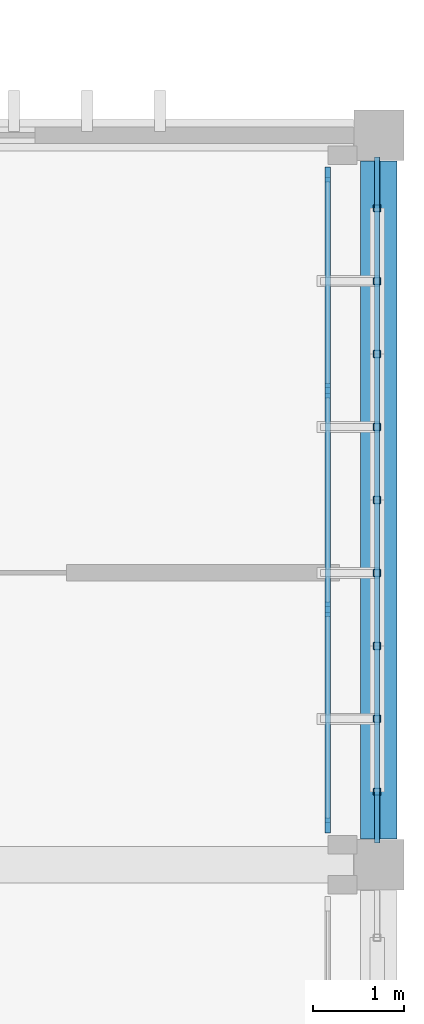
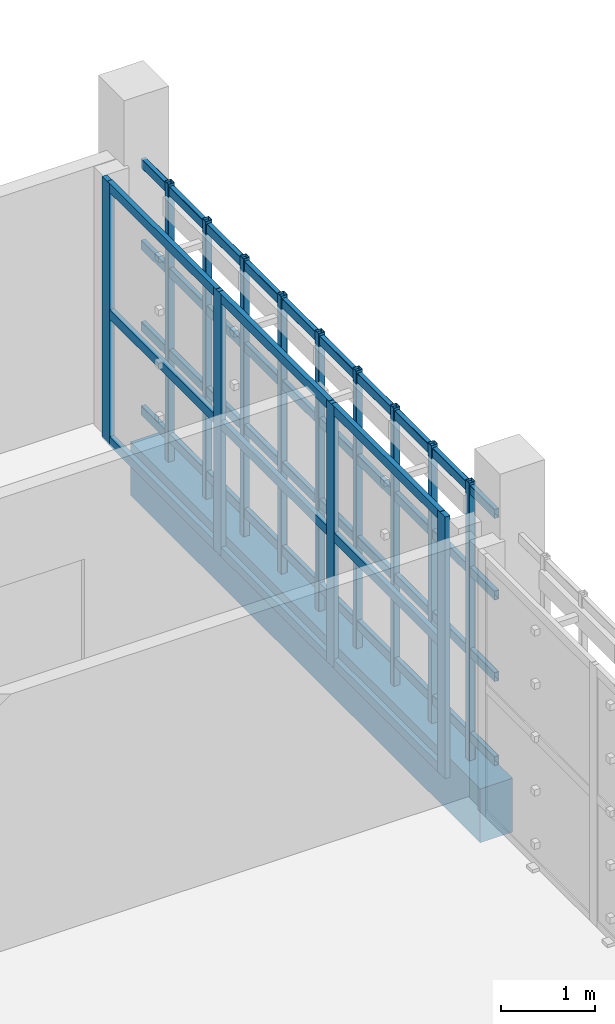
# One storey, part 34 of 63: 26 members, 1 beam, 1 element without a shape of its own.
"""IFC4 building model written with IfcOpenShell, lengths in metres."""

from ifc_helpers import new_model, si_unit, direction, frame, origin, origin_2d, place, context, subcontext, project, spatial, rectangle, hollow_rectangle, extrude, material, layer, layer_set, material_profile, profile_set, type_object, element, aggregate, save


model = new_model("IFC4")

# Units and contexts
model_context = context("Model", 3, precision=1e-05, world=origin(), true_north=direction((0.0, 1.0)))
body_context = subcontext(model_context, "Body", "Model", "MODEL_VIEW")
ifc_project = project(units=[si_unit("LENGTHUNIT", "METRE"), si_unit("AREAUNIT", "SQUARE_METRE"), si_unit("VOLUMEUNIT", "CUBIC_METRE"), si_unit("PLANEANGLEUNIT", "RADIAN"), si_unit("MASSUNIT", "GRAM", prefix="KILO")], contexts=[model_context])

# Site, building, storey
site_placement = place(None, origin())
site = spatial("IfcSite", under=ifc_project, at=site_placement, CompositionType="ELEMENT")
building_placement = place(site_placement, origin())
building = spatial("IfcBuilding", under=site, at=building_placement, Name="Jelvoka-Kovrelna Polytechnic", CompositionType="ELEMENT")
storey_placement = place(building_placement, frame((0.0, 0.0, 18.0)))
storey = spatial("IfcBuildingStorey", under=building, at=storey_placement, Name="L05", CompositionType="ELEMENT", Elevation=18.0)

# Beam
ifc_material_1 = material(Name="Concrete C40/50", Category="concrete")
ifc_material_profile_1 = material_profile(ifc_material_1, rectangle(XDim=0.39990234375, YDim=0.699951171875, at=origin_2d()), Name="RC 400x700")
ifc_profile_set_1 = profile_set([ifc_material_profile_1], Name="Concrete C40/50")
beam_type = type_object("IfcBeamType", Name="Beam_RC_400x700", PredefinedType="BEAM", material=ifc_profile_set_1)
beam_placement = place(storey_placement, frame((200.0, 40.280029296875, -0.60009765625), z_axis=(0.0, 1.0, 0.0), x_axis=(-1.0, 0.0, 0.0)))
element("IfcBeam", 1, at=beam_placement, inside=storey, type_object=beam_type, Name="L05 beam 1504", PredefinedType="BEAM", context=body_context, shape_type="SweptSolid", body=[
    extrude(rectangle(XDim=0.39990234375, YDim=0.699951171875, at=origin_2d()), origin(), (0.0, 0.0, 1.0), 7.43994140625),
])

# Members
ifc_material_2 = material(Name="Structural steel S355J2H", Category="steel")
ifc_material_profile_2 = material_profile(ifc_material_2, hollow_rectangle(XDim=0.06005859375, YDim=0.1201171875, WallThickness=0.0048828125, InnerFilletRadius=0.0048828125, OuterFilletRadius=0.007568359375, at=origin_2d()), Name="120x60x5.0 RHS")
ifc_profile_set_2 = profile_set([ifc_material_profile_2], Name="Structural steel S355J2H")
member_type_1 = type_object("IfcMemberType", Name="Member_Strut_RHS120", PredefinedType="STRUT", material=ifc_profile_set_2)
for number, where, z_axis, x_axis, name in (
    (2, (199.97998046875, 40.239990234375, 0.080078125), (0.0, 1.0, 0.0), (-1.0, 0.0, 0.0), "L05 terracotta screen horizontal strut 0521"),
    (3, (199.97998046875, 40.239990234375, 1.17138671875), (0.0, 1.0, 0.0), (-1.0, 0.0, 0.0), "L05 terracotta screen horizontal strut 0522"),
    (4, (199.97998046875, 40.239990234375, 2.230712890625), (0.0, 1.0, 0.0), (-1.0, 0.0, 0.0), "L05 terracotta screen horizontal strut 0523"),
    (5, (199.97998046875, 40.239990234375, 3.2900390625), (0.0, 1.0, 0.0), (-1.0, 0.0, 0.0), "L05 terracotta screen horizontal strut 0524"),
):
    element("IfcMember", number, at=place(storey_placement, frame(where, z_axis=z_axis, x_axis=x_axis)), inside=storey, type_object=member_type_1, Name=name, PredefinedType="STRUT", context=body_context, shape_type="SweptSolid", body=[
        extrude(hollow_rectangle(XDim=0.06005859375, YDim=0.1201171875, WallThickness=0.0048828125, InnerFilletRadius=0.0048828125, OuterFilletRadius=0.007568359375, at=origin_2d()), origin(), (0.0, 0.0, 1.0), 7.52001953125),
    ])
ifc_material_3 = material(Name="Structural steel S355J2H", Category="steel")
ifc_material_profile_3 = material_profile(ifc_material_3, hollow_rectangle(XDim=0.080078125, YDim=0.080078125, WallThickness=0.0048828125, InnerFilletRadius=0.0048828125, OuterFilletRadius=0.007568359375, at=origin_2d()), Name="80x80x5.0 SHS")
ifc_profile_set_3 = profile_set([ifc_material_profile_3], Name="Structural steel S355J2H")
member_type_2 = type_object("IfcMemberType", Name="Member_Strut_SHS80", PredefinedType="STRUT", material=ifc_profile_set_3)
for number, where, z_axis, x_axis, name in (
    (6, (199.97998046875, 40.800048828125, -0.22998046875), (0.0, 0.0, 1.0), (1.0, 0.0, 0.0), "L05 terracotta lattice vertical rib 0525"),
    (7, (199.97998046875, 41.60009765625, -0.22998046875), (0.0, 0.0, 1.0), (1.0, 0.0, 0.0), "L05 terracotta lattice vertical rib 0526"),
    (8, (199.97998046875, 42.39990234375, -0.22998046875), (0.0, 0.0, 1.0), (1.0, 0.0, 0.0), "L05 terracotta lattice vertical rib 0527"),
    (9, (199.97998046875, 43.199951171875, -0.22998046875), (0.0, 0.0, 1.0), (1.0, 0.0, 0.0), "L05 terracotta lattice vertical rib 0528"),
    (10, (199.97998046875, 44.0, -0.22998046875), (0.0, 0.0, 1.0), (1.0, 0.0, 0.0), "L05 terracotta lattice vertical rib 0529"),
    (11, (199.97998046875, 44.800048828125, -0.22998046875), (0.0, 0.0, 1.0), (1.0, 0.0, 0.0), "L05 terracotta lattice vertical rib 0530"),
    (12, (199.97998046875, 45.60009765625, -0.22998046875), (0.0, 0.0, 1.0), (1.0, 0.0, 0.0), "L05 terracotta lattice vertical rib 0531"),
    (13, (199.97998046875, 46.39990234375, -0.22998046875), (0.0, 0.0, 1.0), (1.0, 0.0, 0.0), "L05 terracotta lattice vertical rib 0532"),
    (14, (199.97998046875, 47.199951171875, -0.22998046875), (0.0, 0.0, 1.0), (1.0, 0.0, 0.0), "L05 terracotta lattice vertical rib 0533"),
):
    element("IfcMember", number, at=place(storey_placement, frame(where, z_axis=z_axis, x_axis=x_axis)), inside=storey, type_object=member_type_2, Name=name, PredefinedType="STRUT", context=body_context, shape_type="SweptSolid", body=[
        extrude(hollow_rectangle(XDim=0.080078125, YDim=0.080078125, WallThickness=0.0048828125, InnerFilletRadius=0.0048828125, OuterFilletRadius=0.007568359375, at=origin_2d()), origin(), (0.0, 0.0, 1.0), 3.60986328125),
    ])

# Curtain wall, members
ifc_material_4 = material(Name="Anodised aluminium 6063-T6", Category="aluminium")
ifc_layer = layer(ifc_material_4, 0.159912109375)
ifc_layer_set = layer_set([ifc_layer], Name="Anodised aluminium 6063-T6")
curtain_wall_type = type_object("IfcCurtainWallType", Name="CW_Recessed_A", PredefinedType="NOTDEFINED", material=ifc_layer_set)
curtain_wall_placement = place(storey_placement, origin())
curtain_wall = element("IfcCurtainWall", 15, at=curtain_wall_placement, inside=storey, type_object=curtain_wall_type, Name="L05 glazed curtain wall 073", PredefinedType="NOTDEFINED")
ifc_material_5 = material(Name="Anodised aluminium 6063-T6", Category="aluminium")
ifc_material_profile_4 = material_profile(ifc_material_5, rectangle(XDim=0.06005859375, YDim=0.159912109375, at=origin_2d()), Name="ALU 60x160")
ifc_profile_set_4 = profile_set([ifc_material_profile_4], Name="Anodised aluminium 6063-T6")
member_type_3 = type_object("IfcMemberType", Name="Mullion_M-01", PredefinedType="MULLION", material=ifc_profile_set_4)
member_1_placement = place(storey_placement, frame((199.43994140625, 47.570068359375, -0.02490234375), z_axis=(0.0, 0.0, 1.0), x_axis=(1.0, 0.0, 0.0)))
member_1 = element("IfcMember", 16, at=member_1_placement, type_object=member_type_3, Name="CW-01 mullion 1", PredefinedType="MULLION", context=body_context, shape_type="SweptSolid", body=[
    extrude(rectangle(XDim=0.06005859375, YDim=0.159912109375, at=origin_2d()), origin(), (0.0, 0.0, 1.0), 3.400146484375),
])
member_2_placement = place(storey_placement, frame((199.43994140625, 45.199951171875, -0.02490234375), z_axis=(0.0, 0.0, 1.0), x_axis=(1.0, 0.0, 0.0)))
member_2 = element("IfcMember", 17, at=member_2_placement, type_object=member_type_3, Name="CW-01 mullion 2", PredefinedType="MULLION", context=body_context, shape_type="SweptSolid", body=[
    extrude(rectangle(XDim=0.06005859375, YDim=0.159912109375, at=origin_2d()), origin(), (0.0, 0.0, 1.0), 3.400146484375),
])
member_3_placement = place(storey_placement, frame((199.43994140625, 42.800048828125, -0.02490234375), z_axis=(0.0, 0.0, 1.0), x_axis=(1.0, 0.0, 0.0)))
member_3 = element("IfcMember", 18, at=member_3_placement, type_object=member_type_3, Name="CW-01 mullion 3", PredefinedType="MULLION", context=body_context, shape_type="SweptSolid", body=[
    extrude(rectangle(XDim=0.06005859375, YDim=0.159912109375, at=origin_2d()), origin(), (0.0, 0.0, 1.0), 3.400146484375),
])
member_4_placement = place(storey_placement, frame((199.43994140625, 40.429931640625, -0.02490234375), z_axis=(0.0, 0.0, 1.0), x_axis=(1.0, 0.0, 0.0)))
member_4 = element("IfcMember", 19, at=member_4_placement, type_object=member_type_3, Name="CW-01 mullion 4", PredefinedType="MULLION", context=body_context, shape_type="SweptSolid", body=[
    extrude(rectangle(XDim=0.06005859375, YDim=0.159912109375, at=origin_2d()), origin(), (0.0, 0.0, 1.0), 3.400146484375),
])
ifc_material_6 = material(Name="Anodised aluminium 6063-T6", Category="aluminium")
ifc_material_profile_5 = material_profile(ifc_material_6, rectangle(XDim=0.06005859375, YDim=0.1201171875, at=origin_2d()), Name="ALU 60x120")
ifc_profile_set_5 = profile_set([ifc_material_profile_5], Name="Anodised aluminium 6063-T6")
member_type_4 = type_object("IfcMemberType", Name="Transom_T-01", PredefinedType="USERDEFINED", material=ifc_profile_set_5)
member_5_placement = place(storey_placement, frame((199.43994140625, 47.5400390625, 0.030029296875), z_axis=(0.0, -1.0, 0.0), x_axis=(1.0, 0.0, 0.0)))
member_5 = element("IfcMember", 20, at=member_5_placement, type_object=member_type_4, Name="CW-01 transom 1.1", ObjectType="TRANSOM", PredefinedType="USERDEFINED", context=body_context, shape_type="SweptSolid", body=[
    extrude(rectangle(XDim=0.06005859375, YDim=0.1201171875, at=origin_2d()), origin(), (0.0, 0.0, 1.0), 2.31005859375),
])
member_6_placement = place(storey_placement, frame((199.43994140625, 47.5400390625, 1.675048828125), z_axis=(0.0, -1.0, 0.0), x_axis=(1.0, 0.0, 0.0)))
member_6 = element("IfcMember", 21, at=member_6_placement, type_object=member_type_4, Name="CW-01 transom 1.2", ObjectType="TRANSOM", PredefinedType="USERDEFINED", context=body_context, shape_type="SweptSolid", body=[
    extrude(rectangle(XDim=0.06005859375, YDim=0.1201171875, at=origin_2d()), origin(), (0.0, 0.0, 1.0), 2.31005859375),
])
member_7_placement = place(storey_placement, frame((199.43994140625, 47.5400390625, 3.320068359375), z_axis=(0.0, -1.0, 0.0), x_axis=(1.0, 0.0, 0.0)))
member_7 = element("IfcMember", 22, at=member_7_placement, type_object=member_type_4, Name="CW-01 transom 1.3", ObjectType="TRANSOM", PredefinedType="USERDEFINED", context=body_context, shape_type="SweptSolid", body=[
    extrude(rectangle(XDim=0.06005859375, YDim=0.1201171875, at=origin_2d()), origin(), (0.0, 0.0, 1.0), 2.31005859375),
])
member_8_placement = place(storey_placement, frame((199.43994140625, 45.169921875, 0.030029296875), z_axis=(0.0, -1.0, 0.0), x_axis=(1.0, 0.0, 0.0)))
member_8 = element("IfcMember", 23, at=member_8_placement, type_object=member_type_4, Name="CW-01 transom 2.1", ObjectType="TRANSOM", PredefinedType="USERDEFINED", context=body_context, shape_type="SweptSolid", body=[
    extrude(rectangle(XDim=0.06005859375, YDim=0.1201171875, at=origin_2d()), origin(), (0.0, 0.0, 1.0), 2.33984375),
])
member_9_placement = place(storey_placement, frame((199.43994140625, 45.169921875, 1.675048828125), z_axis=(0.0, -1.0, 0.0), x_axis=(1.0, 0.0, 0.0)))
member_9 = element("IfcMember", 24, at=member_9_placement, type_object=member_type_4, Name="CW-01 transom 2.2", ObjectType="TRANSOM", PredefinedType="USERDEFINED", context=body_context, shape_type="SweptSolid", body=[
    extrude(rectangle(XDim=0.06005859375, YDim=0.1201171875, at=origin_2d()), origin(), (0.0, 0.0, 1.0), 2.33984375),
])
member_10_placement = place(storey_placement, frame((199.43994140625, 45.169921875, 3.320068359375), z_axis=(0.0, -1.0, 0.0), x_axis=(1.0, 0.0, 0.0)))
member_10 = element("IfcMember", 25, at=member_10_placement, type_object=member_type_4, Name="CW-01 transom 2.3", ObjectType="TRANSOM", PredefinedType="USERDEFINED", context=body_context, shape_type="SweptSolid", body=[
    extrude(rectangle(XDim=0.06005859375, YDim=0.1201171875, at=origin_2d()), origin(), (0.0, 0.0, 1.0), 2.33984375),
])
member_11_placement = place(storey_placement, frame((199.43994140625, 42.77001953125, 0.030029296875), z_axis=(0.0, -1.0, 0.0), x_axis=(1.0, 0.0, 0.0)))
member_11 = element("IfcMember", 26, at=member_11_placement, type_object=member_type_4, Name="CW-01 transom 3.1", ObjectType="TRANSOM", PredefinedType="USERDEFINED", context=body_context, shape_type="SweptSolid", body=[
    extrude(rectangle(XDim=0.06005859375, YDim=0.1201171875, at=origin_2d()), origin(), (0.0, 0.0, 1.0), 2.31005859375),
])
member_12_placement = place(storey_placement, frame((199.43994140625, 42.77001953125, 1.675048828125), z_axis=(0.0, -1.0, 0.0), x_axis=(1.0, 0.0, 0.0)))
member_12 = element("IfcMember", 27, at=member_12_placement, type_object=member_type_4, Name="CW-01 transom 3.2", ObjectType="TRANSOM", PredefinedType="USERDEFINED", context=body_context, shape_type="SweptSolid", body=[
    extrude(rectangle(XDim=0.06005859375, YDim=0.1201171875, at=origin_2d()), origin(), (0.0, 0.0, 1.0), 2.31005859375),
])
member_13_placement = place(storey_placement, frame((199.43994140625, 42.77001953125, 3.320068359375), z_axis=(0.0, -1.0, 0.0), x_axis=(1.0, 0.0, 0.0)))
member_13 = element("IfcMember", 28, at=member_13_placement, type_object=member_type_4, Name="CW-01 transom 3.3", ObjectType="TRANSOM", PredefinedType="USERDEFINED", context=body_context, shape_type="SweptSolid", body=[
    extrude(rectangle(XDim=0.06005859375, YDim=0.1201171875, at=origin_2d()), origin(), (0.0, 0.0, 1.0), 2.31005859375),
])
aggregate(curtain_wall, [member_1, member_2, member_3, member_4, member_5, member_6, member_7, member_8, member_9, member_10, member_11, member_12, member_13])

save(model, "model.ifc")
